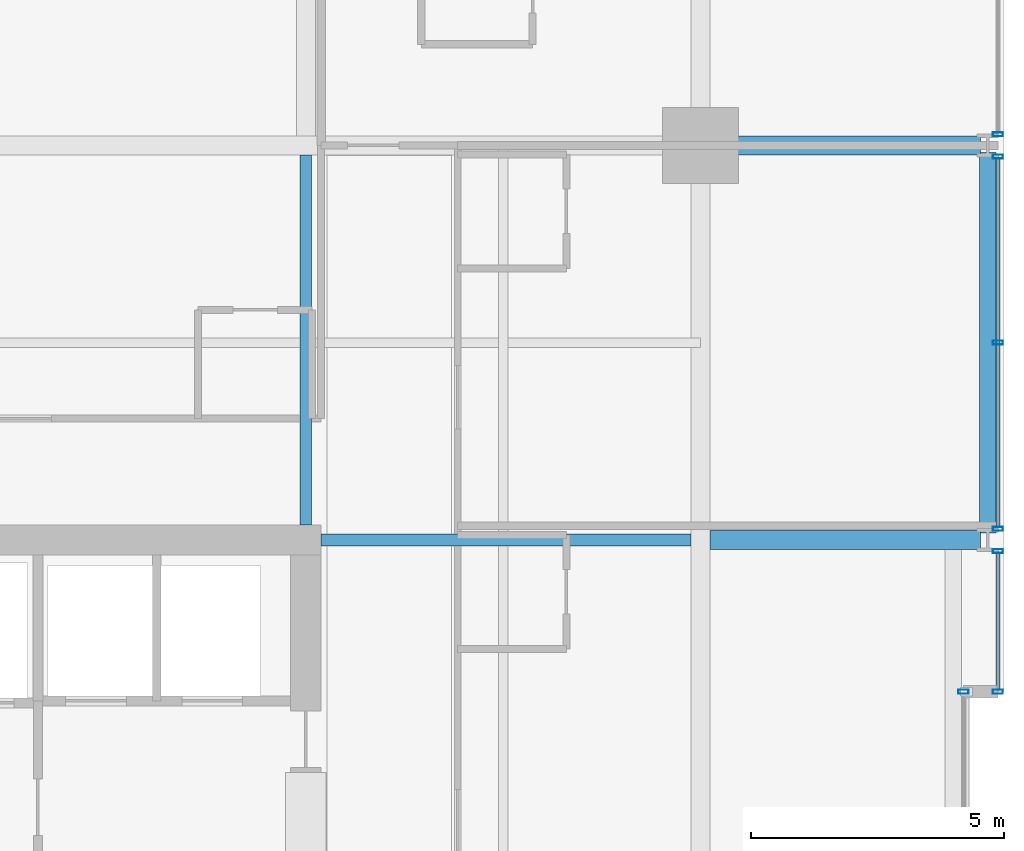
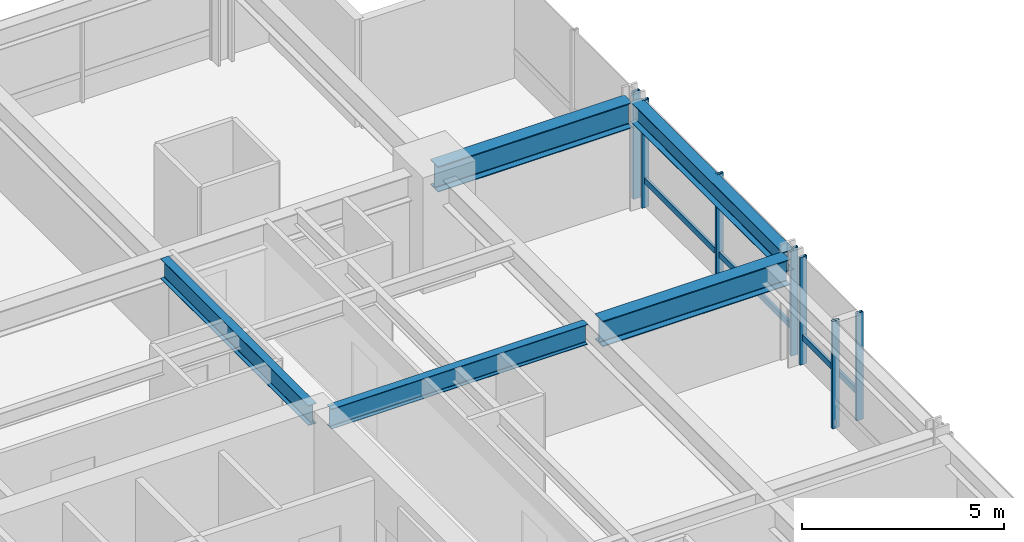
# One storey, part 23 of 34: 9 members, 5 beams, 4 elements without a shape of their own.
"""IFC4 building model written with IfcOpenShell, lengths in metres."""

import ifcopenshell
import ifcopenshell.guid

model = None  # the IFC model being written
_history = None  # IfcOwnerHistory: only IFC2X3 demands one
_inside = {}  # id of a spatial element -> (the spatial element, [elements in it])
_under = {}  # id of a project, library or spatial element -> (it, [spatial elements below it])
_declared = {}  # id of a project -> (the project, [libraries it declares])
_typed = {}  # id of a type object -> (the type object, [elements of that type])
_made_of = {}  # id of a material, layer set ... -> (it, [elements and type objects made of it])


def new_model(schema):
    """Start an empty IFC model of exactly this schema.

    Asked for "IFC4X3", IfcOpenShell would pick the latest addendum, in which some entities
    have other attributes; the version numbers below select the first issue.
    IFC2X3 requires an IfcOwnerHistory on every rooted entity: one is made here for all.
    """
    global model, _history
    if schema == "IFC4X3":
        model = ifcopenshell.file(schema_version=(4, 3, 0, 0))
    else:
        model = ifcopenshell.file(schema=schema)
    _inside.clear()
    _under.clear()
    _declared.clear()
    _typed.clear()
    _made_of.clear()
    _history = None
    if model.schema == "IFC2X3":
        org = make("IfcOrganization", Name="unknown")
        user = make(
            "IfcPersonAndOrganization",
            ThePerson=make("IfcPerson", FamilyName="unknown"),
            TheOrganization=org,
        )
        app = make(
            "IfcApplication",
            ApplicationDeveloper=org,
            Version="unknown",
            ApplicationFullName="unknown",
            ApplicationIdentifier="unknown",
        )
        _history = make(
            "IfcOwnerHistory",
            OwningUser=user,
            OwningApplication=app,
            ChangeAction="ADDED",
            CreationDate=0,
        )
    return model


def make(cls, **values):
    """One entity of the class cls with the attributes given. An attribute that is None is left unset."""
    return model.create_entity(
        cls, **{name: value for name, value in values.items() if value is not None}
    )


def rooted(cls, **values):
    """An entity with a GlobalId (a new one), such as an element, a storey or a relation."""
    return make(cls, GlobalId=ifcopenshell.guid.new(), OwnerHistory=_history, **values)


def si_unit(unit_type, name, prefix=None):
    """IfcSIUnit, for example si_unit("LENGTHUNIT", "METRE", prefix="MILLI")."""
    return make("IfcSIUnit", UnitType=unit_type, Prefix=prefix, Name=name)


def assignment(units):
    """IfcUnitAssignment: the units of a project."""
    return None if units is None else make("IfcUnitAssignment", Units=units)


def point(xyz):
    """IfcCartesianPoint."""
    return None if xyz is None else make("IfcCartesianPoint", Coordinates=xyz)


def direction(xyz):
    """IfcDirection."""
    return None if xyz is None else make("IfcDirection", DirectionRatios=xyz)


def frame(location, z_axis=None, x_axis=None):
    """IfcAxis2Placement3D, a coordinate frame: its origin and axes. An axis left out is left unset."""
    return make(
        "IfcAxis2Placement3D",
        Location=point(location),
        Axis=direction(z_axis),
        RefDirection=direction(x_axis),
    )


def frame_2d(location, x_axis=None):
    """IfcAxis2Placement2D, a coordinate frame in the plane: its origin and x axis."""
    return make(
        "IfcAxis2Placement2D", Location=point(location), RefDirection=direction(x_axis)
    )


def origin():
    """The frame at (0, 0, 0) with its axes left unset."""
    return frame((0.0, 0.0, 0.0))


def origin_2d():
    """The frame at (0, 0) in the plane with its x axis left unset."""
    return frame_2d((0.0, 0.0))


def place(relative_to, where):
    """IfcLocalPlacement: puts the frame where relative to a parent placement (None: the world)."""
    return make(
        "IfcLocalPlacement", PlacementRelTo=relative_to, RelativePlacement=where
    )


def context(
    kind, dimensions, precision=None, world=None, true_north=None, identifier=None
):
    """IfcGeometricRepresentationContext, for example the 3D "Model" context."""
    return make(
        "IfcGeometricRepresentationContext",
        ContextIdentifier=identifier,
        ContextType=kind,
        CoordinateSpaceDimension=dimensions,
        Precision=precision,
        WorldCoordinateSystem=world,
        TrueNorth=true_north,
    )


def subcontext(parent, identifier, kind, view, scale=None):
    """IfcGeometricRepresentationSubContext, for example "Body" below "Model"."""
    return make(
        "IfcGeometricRepresentationSubContext",
        ContextIdentifier=identifier,
        ContextType=kind,
        ParentContext=parent,
        TargetScale=scale,
        TargetView=view,
    )


def project(units=None, contexts=None):
    """IfcProject with its units and contexts."""
    return rooted(
        "IfcProject",
        Name="project",
        RepresentationContexts=contexts,
        UnitsInContext=assignment(units),
    )


def spatial(cls, under=None, at=None, **own):
    """A site, building, storey or space (cls), placed at a placement, below another one or the project."""
    s = rooted(cls, ObjectPlacement=at, **own)
    if under is not None:
        _under.setdefault(under.id(), (under, []))[1].append(s)
    return s


def profile(cls, at=None, kind="AREA", **sizes):
    """A parametric profile (cls). Its sizes go by their IFC names, for example OverallWidth=200.0."""
    return make(cls, ProfileType=kind, Position=at, **sizes)


def hollow_rectangle(**sizes):
    """IfcRectangleHollowProfileDef."""
    return profile("IfcRectangleHollowProfileDef", **sizes)


def i_section(**sizes):
    """IfcIShapeProfileDef."""
    return profile("IfcIShapeProfileDef", **sizes)


def extrude(swept, where, along, depth):
    """IfcExtrudedAreaSolid: the profile swept, set in the frame where, extruded along a direction by depth."""
    return make(
        "IfcExtrudedAreaSolid",
        SweptArea=swept,
        Position=where,
        ExtrudedDirection=direction(along),
        Depth=depth,
    )


def shape(context_of_items, identifier, shape_type, items):
    """IfcShapeRepresentation: the items that make up one representation, for example the "Body"."""
    return make(
        "IfcShapeRepresentation",
        ContextOfItems=context_of_items,
        RepresentationIdentifier=identifier,
        RepresentationType=shape_type,
        Items=items,
    )


def material(Name=None, Category=None):
    """IfcMaterial."""
    return make("IfcMaterial", Name=Name, Category=Category)


def layer(
    of_material, thickness, ventilated=None, Name=None, Category=None, Priority=None
):
    """IfcMaterialLayer: one layer of a wall or slab, of a material (None: an air gap)."""
    return make(
        "IfcMaterialLayer",
        Material=of_material,
        LayerThickness=thickness,
        IsVentilated=ventilated,
        Name=Name,
        Category=Category,
        Priority=Priority,
    )


def layer_set(layers, Name=None):
    """IfcMaterialLayerSet."""
    return make("IfcMaterialLayerSet", MaterialLayers=layers, LayerSetName=Name)


def material_profile(
    of_material, cross_section, Name=None, Category=None, Priority=None
):
    """IfcMaterialProfile: a cross section and its material."""
    return make(
        "IfcMaterialProfile",
        Name=Name,
        Material=of_material,
        Profile=cross_section,
        Priority=Priority,
        Category=Category,
    )


def profile_set(profiles, Name=None, composite=None):
    """IfcMaterialProfileSet."""
    return make(
        "IfcMaterialProfileSet",
        Name=Name,
        MaterialProfiles=profiles,
        CompositeProfile=composite,
    )


def made_of(thing, what):
    """Note that an element or type object is made of a material, layer set ...; save() writes the relation."""
    if what is not None:
        _made_of.setdefault(what.id(), (what, []))[1].append(thing)
    return thing


def type_object(cls, material=None, **own):
    """A type object (cls), such as IfcWallType, which elements share."""
    return made_of(rooted(cls, **own), material)


def element(
    cls,
    number,
    at=None,
    inside=None,
    cuts=None,
    type_object=None,
    material=None,
    context=None,
    identifier="Body",
    shape_type=None,
    held_by="IfcProductDefinitionShape",
    body=None,
    shapes=None,
    **own,
):
    """One element of the class cls, such as IfcWall. Its Tag is "e" and its number.

    at: its placement. inside: the storey or other place that contains it. cuts: it is an
    opening in that element (IfcRelVoidsElement). A single representation is given by context,
    identifier, shape_type and body (its items); several are given by shapes. held_by: the class
    of the entity that holds the representations. save() writes the other relations.
    """
    e = rooted(cls, Tag="e%d" % number, ObjectPlacement=at, **own)
    if body is not None:
        shapes = [shape(context, identifier, shape_type, body)]
    if shapes is not None:
        e.Representation = make(held_by, Representations=shapes)
    if inside is not None:
        _inside.setdefault(inside.id(), (inside, []))[1].append(e)
    if cuts is not None:
        rooted(
            "IfcRelVoidsElement", RelatingBuildingElement=cuts, RelatedOpeningElement=e
        )
    if type_object is not None:
        _typed.setdefault(type_object.id(), (type_object, []))[1].append(e)
    return made_of(e, material)


def aggregate(whole, parts):
    """IfcRelAggregates: a whole, such as a stair, and the parts it consists of."""
    return rooted("IfcRelAggregates", RelatingObject=whole, RelatedObjects=parts)


def save(model, path):
    """Write the relations noted so far, then the file.

    IfcRelAggregates (storeys below a building ...), IfcRelContainedInSpatialStructure (elements
    in a storey), IfcRelDefinesByType, IfcRelAssociatesMaterial and IfcRelDeclares: one each for
    every whole, place, type object, material and project.
    """
    for whole, parts in _under.values():
        aggregate(whole, parts)
    for where, things in _inside.values():
        rooted(
            "IfcRelContainedInSpatialStructure",
            RelatedElements=things,
            RelatingStructure=where,
        )
    for kind, things in _typed.values():
        rooted("IfcRelDefinesByType", RelatedObjects=things, RelatingType=kind)
    for what, things in _made_of.values():
        rooted("IfcRelAssociatesMaterial", RelatedObjects=things, RelatingMaterial=what)
    for by, libraries in _declared.values():
        rooted("IfcRelDeclares", RelatingContext=by, RelatedDefinitions=libraries)
    model.write(path)


model = new_model("IFC4")

# Units and contexts
model_context = context("Model", 3, precision=1e-05, world=origin(), true_north=direction((0.0, 1.0)))
body_context = subcontext(model_context, "Body", "Model", "MODEL_VIEW")
ifc_project = project(units=[si_unit("LENGTHUNIT", "METRE"), si_unit("AREAUNIT", "SQUARE_METRE"), si_unit("VOLUMEUNIT", "CUBIC_METRE"), si_unit("PLANEANGLEUNIT", "RADIAN"), si_unit("MASSUNIT", "GRAM", prefix="KILO")], contexts=[model_context])

# Site, building, storey
site_placement = place(None, origin())
site = spatial("IfcSite", under=ifc_project, at=site_placement, CompositionType="ELEMENT")
building_placement = place(site_placement, origin())
building = spatial("IfcBuilding", under=site, at=building_placement, Name="Drelvath Grand Hotel", CompositionType="ELEMENT")
storey_placement = place(building_placement, frame((0.0, 0.0, 102.300048828125)))
storey = spatial("IfcBuildingStorey", under=building, at=storey_placement, Name="L25", CompositionType="ELEMENT", Elevation=102.300048828125)

# Curtain wall, member
ifc_material_1 = material(Name="Champagne Bronze Anodised Aluminium Frame", Category="aluminium")
ifc_layer = layer(ifc_material_1, 0.199951171875)
ifc_layer_set = layer_set([ifc_layer], Name="Champagne Bronze Anodised Aluminium Frame")
curtain_wall_type = type_object("IfcCurtainWallType", Name="Stick Curtain Wall CW-03 Champagne Bronze Mid-Rise", PredefinedType="NOTDEFINED", material=ifc_layer_set)
curtain_wall_1_placement = place(storey_placement, origin())
curtain_wall_1 = element("IfcCurtainWall", 1, at=curtain_wall_1_placement, inside=storey, type_object=curtain_wall_type, Name="L25 CW-03 Curtain Wall CW03-L25-EN1", PredefinedType="NOTDEFINED")
ifc_material_profile_1 = material_profile(ifc_material_1, hollow_rectangle(XDim=0.074951171875, YDim=0.179931640625, WallThickness=0.0048828125, at=origin_2d()), Name="HSS180X75X5")
ifc_profile_set_1 = profile_set([ifc_material_profile_1], Name="Champagne Bronze Anodised Aluminium Frame")
member_type_1 = type_object("IfcMemberType", Name="Curtain Wall Horizontal Transom CW-03 HSS180X75X5", PredefinedType="USERDEFINED", material=ifc_profile_set_1)
member_1_placement = place(storey_placement, frame((22.080078125, 35.140380859375, 0.81005859375), z_axis=(0.0, -1.0, 0.0), x_axis=(1.0, 0.0, 0.0)))
member_1 = element("IfcMember", 2, at=member_1_placement, type_object=member_type_1, Name="CW03-L25-EN1 Sill Transom", ObjectType="TRANSOM", PredefinedType="USERDEFINED", context=body_context, shape_type="SweptSolid", body=[
    extrude(hollow_rectangle(XDim=0.074951171875, YDim=0.179931640625, WallThickness=0.0048828125, at=origin_2d()), origin(), (0.0, 0.0, 1.0), 2.700439453125),
])

curtain_wall_2_placement = place(storey_placement, origin())
curtain_wall_2 = element("IfcCurtainWall", 3, at=curtain_wall_2_placement, inside=storey, type_object=curtain_wall_type, Name="L25 CW-03 Curtain Wall CW03-L25-EN2", PredefinedType="NOTDEFINED")
member_2_placement = place(storey_placement, frame((22.080078125, 42.9404296875, 0.81005859375), z_axis=(0.0, -1.0, 0.0), x_axis=(1.0, 0.0, 0.0)))
member_2 = element("IfcMember", 4, at=member_2_placement, type_object=member_type_1, Name="CW03-L25-EN2 Sill Transom", ObjectType="TRANSOM", PredefinedType="USERDEFINED", context=body_context, shape_type="SweptSolid", body=[
    extrude(hollow_rectangle(XDim=0.074951171875, YDim=0.179931640625, WallThickness=0.0048828125, at=origin_2d()), origin(), (0.0, 0.0, 1.0), 7.28076171875),
])

# Member
ifc_material_profile_2 = material_profile(ifc_material_1, hollow_rectangle(XDim=0.080078125, YDim=0.199951171875, WallThickness=0.0048828125, at=origin_2d()), Name="HSS200X80X5")
ifc_profile_set_2 = profile_set([ifc_material_profile_2], Name="Champagne Bronze Anodised Aluminium Frame")
member_type_2 = type_object("IfcMemberType", Name="Curtain Wall Vertical Mullion CW-03 HSS200X80X5", PredefinedType="MULLION", material=ifc_profile_set_2)
member_3_placement = place(storey_placement, frame((22.080078125, 35.180419921875, 0.0), z_axis=(0.0, 0.0, 1.0), x_axis=(0.0, 1.0, 0.0)))
member_3 = element("IfcMember", 5, at=member_3_placement, type_object=member_type_2, Name="CW03-L25-EN1 Mullion 1", PredefinedType="MULLION", context=body_context, shape_type="SweptSolid", body=[
    extrude(hollow_rectangle(XDim=0.080078125, YDim=0.199951171875, WallThickness=0.0048828125, at=origin_2d()), origin(), (0.0, 0.0, 1.0), 3.239990234375),
])

member_4_placement = place(storey_placement, frame((22.080078125, 32.39990234375, 0.0), z_axis=(0.0, 0.0, 1.0), x_axis=(0.0, 1.0, 0.0)))
member_4 = element("IfcMember", 6, at=member_4_placement, type_object=member_type_2, Name="CW03-L25-EN1 Mullion 2", PredefinedType="MULLION", context=body_context, shape_type="SweptSolid", body=[
    extrude(hollow_rectangle(XDim=0.080078125, YDim=0.199951171875, WallThickness=0.0048828125, at=origin_2d()), origin(), (0.0, 0.0, 1.0), 3.239990234375),
])

aggregate(curtain_wall_1, [member_3, member_4, member_1])

member_5_placement = place(storey_placement, frame((22.080078125, 42.98046875, 0.0), z_axis=(0.0, 0.0, 1.0), x_axis=(0.0, 1.0, 0.0)))
member_5 = element("IfcMember", 7, at=member_5_placement, type_object=member_type_2, Name="CW03-L25-EN2 Mullion 1", PredefinedType="MULLION", context=body_context, shape_type="SweptSolid", body=[
    extrude(hollow_rectangle(XDim=0.080078125, YDim=0.199951171875, WallThickness=0.0048828125, at=origin_2d()), origin(), (0.0, 0.0, 1.0), 3.239990234375),
])

member_6_placement = place(storey_placement, frame((22.080078125, 39.300048828125, 0.0), z_axis=(0.0, 0.0, 1.0), x_axis=(0.0, 1.0, 0.0)))
member_6 = element("IfcMember", 8, at=member_6_placement, type_object=member_type_2, Name="CW03-L25-EN2 Mullion 2", PredefinedType="MULLION", context=body_context, shape_type="SweptSolid", body=[
    extrude(hollow_rectangle(XDim=0.080078125, YDim=0.199951171875, WallThickness=0.0048828125, at=origin_2d()), origin(), (0.0, 0.0, 1.0), 3.239990234375),
])

member_7_placement = place(storey_placement, frame((22.080078125, 35.61962890625, 0.0), z_axis=(0.0, 0.0, 1.0), x_axis=(0.0, 1.0, 0.0)))
member_7 = element("IfcMember", 9, at=member_7_placement, type_object=member_type_2, Name="CW03-L25-EN2 Mullion 3", PredefinedType="MULLION", context=body_context, shape_type="SweptSolid", body=[
    extrude(hollow_rectangle(XDim=0.080078125, YDim=0.199951171875, WallThickness=0.0048828125, at=origin_2d()), origin(), (0.0, 0.0, 1.0), 3.239990234375),
])

aggregate(curtain_wall_2, [member_5, member_6, member_7, member_2])

# Curtain wall, member
curtain_wall_3_placement = place(storey_placement, origin())
curtain_wall_3 = element("IfcCurtainWall", 10, at=curtain_wall_3_placement, inside=storey, type_object=curtain_wall_type, Name="L25 CW-03 Curtain Wall CW03-L25-EN3", PredefinedType="NOTDEFINED")
member_8_placement = place(storey_placement, frame((22.080078125, 43.419677734375, 0.0), z_axis=(0.0, 0.0, 1.0), x_axis=(0.0, 1.0, 0.0)))
member_8 = element("IfcMember", 11, at=member_8_placement, type_object=member_type_2, Name="CW03-L25-EN3 Mullion 3", PredefinedType="MULLION", context=body_context, shape_type="SweptSolid", body=[
    extrude(hollow_rectangle(XDim=0.080078125, YDim=0.199951171875, WallThickness=0.0048828125, at=origin_2d()), origin(), (0.0, 0.0, 1.0), 3.239990234375),
])
aggregate(curtain_wall_3, [member_8])

curtain_wall_4_placement = place(storey_placement, origin())
curtain_wall_4 = element("IfcCurtainWall", 12, at=curtain_wall_4_placement, inside=storey, type_object=curtain_wall_type, Name="L25 CW-03 Curtain Wall CW03-L25-EM2", PredefinedType="NOTDEFINED")
member_9_placement = place(storey_placement, frame((21.39990234375, 32.39990234375, 0.0), z_axis=(0.0, 0.0, 1.0), x_axis=(0.0, 1.0, 0.0)))
member_9 = element("IfcMember", 13, at=member_9_placement, type_object=member_type_2, Name="CW03-L25-EM2 Mullion 1", PredefinedType="MULLION", context=body_context, shape_type="SweptSolid", body=[
    extrude(hollow_rectangle(XDim=0.080078125, YDim=0.199951171875, WallThickness=0.0048828125, at=origin_2d()), origin(), (0.0, 0.0, 1.0), 3.239990234375),
])
aggregate(curtain_wall_4, [member_9])

# Beams
ifc_material_2 = material(Name="Steel ASTM A992 Gr 50", Category="steel")
ifc_material_profile_3 = material_profile(ifc_material_2, i_section(OverallWidth=0.323974609375, OverallDepth=0.611083984375, WebThickness=0.0126953125, FlangeThickness=0.01904296875, FilletRadius=0.02197265625, at=origin_2d()), Name="W24X104")
ifc_profile_set_3 = profile_set([ifc_material_profile_3], Name="Steel ASTM A992 Gr 50")
beam_type_1 = type_object("IfcBeamType", Name="Perimeter Spandrel Beam W24X104", PredefinedType="SPANDREL", material=ifc_profile_set_3)
beam_1_placement = place(storey_placement, frame((21.8798828125, 35.5400390625, 2.9345703125), z_axis=(0.0, 1.0, 0.0), x_axis=(-1.0, 0.0, 0.0)))
element("IfcBeam", 14, at=beam_1_placement, inside=storey, type_object=beam_type_1, Name="L25 Spandrel East N", PredefinedType="SPANDREL", context=body_context, shape_type="SweptSolid", body=[
    extrude(i_section(OverallWidth=0.323974609375, OverallDepth=0.611083984375, WebThickness=0.0126953125, FlangeThickness=0.01904296875, FilletRadius=0.02197265625, at=origin_2d()), origin(), (0.0, 0.0, 1.0), 7.52001953125),
])
ifc_material_profile_4 = material_profile(ifc_material_2, i_section(OverallWidth=0.228271484375, OverallDepth=0.607666015625, WebThickness=0.01123046875, FlangeThickness=0.017333984375, FilletRadius=0.02001953125, at=origin_2d()), Name="W24X76")
ifc_profile_set_4 = profile_set([ifc_material_profile_4], Name="Steel ASTM A992 Gr 50")
beam_type_2 = type_object("IfcBeamType", Name="Primary Floor Girder W24X76", PredefinedType="BEAM", material=ifc_profile_set_4)
for number, where, z_axis, x_axis, name in (
    (15, (8.699951171875, 35.39990234375, 2.93603515625), (1.0, 0.0, 0.0), (0.0, 1.0, 0.0), "L25 East Core Tie F"),
    (16, (8.39990234375, 35.699951171875, 2.93603515625), (0.0, 1.0, 0.0), (-1.0, 0.0, 0.0), "L25 North Core Tie 6"),
):
    element("IfcBeam", number, at=place(storey_placement, frame(where, z_axis=z_axis, x_axis=x_axis)), inside=storey, type_object=beam_type_2, Name=name, PredefinedType="BEAM", context=body_context, shape_type="SweptSolid", body=[
        extrude(i_section(OverallWidth=0.228271484375, OverallDepth=0.607666015625, WebThickness=0.01123046875, FlangeThickness=0.017333984375, FilletRadius=0.02001953125, at=origin_2d()), origin(), (0.0, 0.0, 1.0), 7.309814453125),
    ])
ifc_material_profile_5 = material_profile(ifc_material_2, i_section(OverallWidth=0.380615234375, OverallDepth=0.773193359375, WebThickness=0.0166015625, FlangeThickness=0.027099609375, FilletRadius=0.02490234375, at=origin_2d()), Name="W30X173")
ifc_profile_set_5 = profile_set([ifc_material_profile_5], Name="Steel ASTM A992 Gr 50")
beam_type_3 = type_object("IfcBeamType", Name="Primary Floor Girder W30X173", PredefinedType="BEAM", material=ifc_profile_set_5)
beam_2_placement = place(storey_placement, frame((16.199951171875, 43.199951171875, 2.853271484375), z_axis=(1.0, 0.0, 0.0), x_axis=(0.0, 1.0, 0.0)))
element("IfcBeam", 17, at=beam_2_placement, inside=storey, type_object=beam_type_3, Name="L25 East Grid Girder G", PredefinedType="BEAM", context=body_context, shape_type="SweptSolid", body=[
    extrude(i_section(OverallWidth=0.380615234375, OverallDepth=0.773193359375, WebThickness=0.0166015625, FlangeThickness=0.027099609375, FilletRadius=0.02490234375, at=origin_2d()), origin(), (0.0, 0.0, 1.0), 5.5400390625),
])
beam_3_placement = place(storey_placement, frame((16.390380859375, 35.39990234375, 2.853271484375), z_axis=(1.0, 0.0, 0.0), x_axis=(0.0, 1.0, 0.0)))
element("IfcBeam", 18, at=beam_3_placement, inside=storey, type_object=beam_type_3, Name="L25 East Wing Girder F", PredefinedType="BEAM", context=body_context, shape_type="SweptSolid", body=[
    extrude(i_section(OverallWidth=0.380615234375, OverallDepth=0.773193359375, WebThickness=0.0166015625, FlangeThickness=0.027099609375, FilletRadius=0.02490234375, at=origin_2d()), origin(), (0.0, 0.0, 1.0), 5.349609375),
])

save(model, "model.ifc")
